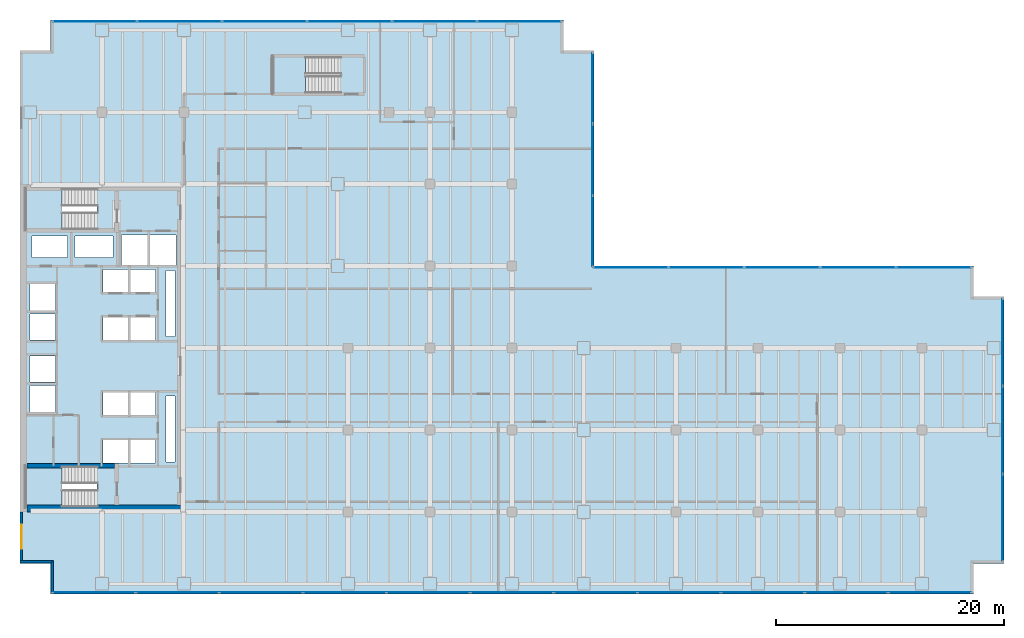
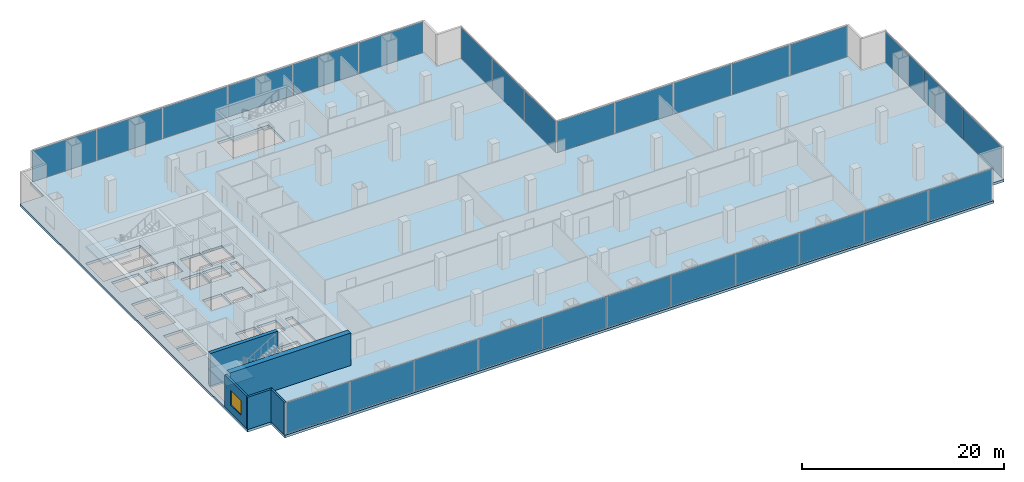
# One storey, part 21 of 29: 28 plates, 5 walls, 4 slabs, 1 window, 22 openings, 8 elements without a shape of their own.
"""IFC4 building model written with IfcOpenShell, lengths in metres."""

from ifc_helpers import new_model, si_unit, direction, frame, frame_2d, origin, origin_2d, place, context, subcontext, project, spatial, polyline, rectangle, outline, extrude, material, layer, layer_set, type_object, element, fill, aggregate, save


model = new_model("IFC4")

# Units and contexts
model_context = context("Model", 3, precision=1e-05, world=origin(), true_north=direction((0.0, 1.0)))
body_context = subcontext(model_context, "Body", "Model", "MODEL_VIEW")
ifc_project = project(units=[si_unit("LENGTHUNIT", "METRE"), si_unit("AREAUNIT", "SQUARE_METRE"), si_unit("VOLUMEUNIT", "CUBIC_METRE"), si_unit("PLANEANGLEUNIT", "RADIAN"), si_unit("MASSUNIT", "GRAM", prefix="KILO")], contexts=[model_context])

# Site, building, storey
site_placement = place(None, origin())
site = spatial("IfcSite", under=ifc_project, at=site_placement, CompositionType="ELEMENT")
building_placement = place(site_placement, origin())
building = spatial("IfcBuilding", under=site, at=building_placement, Name="Cobrela Telecom Tower", CompositionType="ELEMENT")
storey_placement = place(building_placement, frame((0.0, 0.0, 13.64990234375)))
storey = spatial("IfcBuildingStorey", under=building, at=storey_placement, Name="L03", CompositionType="ELEMENT", Elevation=13.64990234375)

# Curtain wall, plates
ifc_material_1 = material(Name="Anodized Bronze Aluminium 6063-T6", Category="aluminium")
curtain_wall_type = type_object("IfcCurtainWallType", Name="CW-SYS-CONC", PredefinedType="USERDEFINED", material=ifc_material_1)
curtain_wall_1_placement = place(storey_placement, origin())
curtain_wall_1 = element("IfcCurtainWall", 1, at=curtain_wall_1_placement, inside=storey, type_object=curtain_wall_type, Name="L03 Unitised Bronze Curtain Wall 07", ObjectType="UNITISED CURTAIN WALL", PredefinedType="USERDEFINED")
ifc_material_2 = material(Name="Solar-Control Bronze Low-E Glass", Category="glass")
ifc_layer_1 = layer(ifc_material_2, 0.0419921875)
ifc_layer_set_1 = layer_set([ifc_layer_1], Name="Solar-Control Bronze Low-E Glass")
plate_type = type_object("IfcPlateType", Name="CW-SYS-CONC-PNL", PredefinedType="CURTAIN_PANEL", material=ifc_layer_set_1)
plate_1_placement = place(storey_placement, frame((6.570068359375, 50.280029296875, 0.080078125), z_axis=(0.0, 0.0, 1.0), x_axis=(1.0, 0.0, 0.0)))
plate_1 = element("IfcPlate", 2, at=plate_1_placement, type_object=plate_type, Name="CW-CONC panel 1.1", PredefinedType="CURTAIN_PANEL", context=body_context, shape_type="SweptSolid", body=[
    extrude(rectangle(XDim=7.340087890625, YDim=0.0419921875, at=origin_2d()), origin(), (0.0, 0.0, 1.0), 3.75),
])
plate_2_placement = place(storey_placement, frame((14.010009765625, 50.280029296875, 0.080078125), z_axis=(0.0, 0.0, 1.0), x_axis=(1.0, 0.0, 0.0)))
plate_2 = element("IfcPlate", 3, at=plate_2_placement, type_object=plate_type, Name="CW-CONC panel 2.1", PredefinedType="CURTAIN_PANEL", context=body_context, shape_type="SweptSolid", body=[
    extrude(rectangle(XDim=7.3798828125, YDim=0.0419921875, at=origin_2d()), origin(), (0.0, 0.0, 1.0), 3.75),
])
plate_3_placement = place(storey_placement, frame((21.469970703125, 50.280029296875, 0.080078125), z_axis=(0.0, 0.0, 1.0), x_axis=(1.0, 0.0, 0.0)))
plate_3 = element("IfcPlate", 4, at=plate_3_placement, type_object=plate_type, Name="CW-CONC panel 3.1", PredefinedType="CURTAIN_PANEL", context=body_context, shape_type="SweptSolid", body=[
    extrude(rectangle(XDim=7.3798828125, YDim=0.0419921875, at=origin_2d()), origin(), (0.0, 0.0, 1.0), 3.75),
])
plate_4_placement = place(storey_placement, frame((28.929931640625, 50.280029296875, 0.080078125), z_axis=(0.0, 0.0, 1.0), x_axis=(1.0, 0.0, 0.0)))
plate_4 = element("IfcPlate", 5, at=plate_4_placement, type_object=plate_type, Name="CW-CONC panel 4.1", PredefinedType="CURTAIN_PANEL", context=body_context, shape_type="SweptSolid", body=[
    extrude(rectangle(XDim=7.3798828125, YDim=0.0419921875, at=origin_2d()), origin(), (0.0, 0.0, 1.0), 3.75),
])
plate_5_placement = place(storey_placement, frame((36.389892578125, 50.280029296875, 0.080078125), z_axis=(0.0, 0.0, 1.0), x_axis=(1.0, 0.0, 0.0)))
plate_5 = element("IfcPlate", 6, at=plate_5_placement, type_object=plate_type, Name="CW-CONC panel 5.1", PredefinedType="CURTAIN_PANEL", context=body_context, shape_type="SweptSolid", body=[
    extrude(rectangle(XDim=7.3798828125, YDim=0.0419921875, at=origin_2d()), origin(), (0.0, 0.0, 1.0), 3.75),
])
plate_6_placement = place(storey_placement, frame((43.830078125, 50.280029296875, 0.080078125), z_axis=(0.0, 0.0, 1.0), x_axis=(1.0, 0.0, 0.0)))
plate_6 = element("IfcPlate", 7, at=plate_6_placement, type_object=plate_type, Name="CW-CONC panel 6.1", PredefinedType="CURTAIN_PANEL", context=body_context, shape_type="SweptSolid", body=[
    extrude(rectangle(XDim=7.340087890625, YDim=0.0419921875, at=origin_2d()), origin(), (0.0, 0.0, 1.0), 3.75),
])
aggregate(curtain_wall_1, [plate_1, plate_2, plate_3, plate_4, plate_5, plate_6])

curtain_wall_2_placement = place(storey_placement, origin())
curtain_wall_2 = element("IfcCurtainWall", 8, at=curtain_wall_2_placement, inside=storey, type_object=curtain_wall_type, Name="L03 Unitised Bronze Curtain Wall 10", ObjectType="UNITISED CURTAIN WALL", PredefinedType="USERDEFINED")
plate_7_placement = place(storey_placement, frame((50.280029296875, 44.409912109375, 0.080078125), z_axis=(0.0, 0.0, 1.0), x_axis=(0.0, -1.0, 0.0)))
plate_7 = element("IfcPlate", 9, at=plate_7_placement, type_object=plate_type, Name="CW-CONC panel 1.1", PredefinedType="CURTAIN_PANEL", context=body_context, shape_type="SweptSolid", body=[
    extrude(rectangle(XDim=6.179931640625, YDim=0.0419921875, at=origin_2d()), origin(), (0.0, 0.0, 1.0), 3.75),
])
plate_8_placement = place(storey_placement, frame((50.280029296875, 38.1298828125, 0.080078125), z_axis=(0.0, 0.0, 1.0), x_axis=(0.0, -1.0, 0.0)))
plate_8 = element("IfcPlate", 10, at=plate_8_placement, type_object=plate_type, Name="CW-CONC panel 2.1", PredefinedType="CURTAIN_PANEL", context=body_context, shape_type="SweptSolid", body=[
    extrude(rectangle(XDim=6.219970703125, YDim=0.0419921875, at=origin_2d()), origin(), (0.0, 0.0, 1.0), 3.75),
])
plate_9_placement = place(storey_placement, frame((50.280029296875, 31.85009765625, 0.080078125), z_axis=(0.0, 0.0, 1.0), x_axis=(0.0, -1.0, 0.0)))
plate_9 = element("IfcPlate", 11, at=plate_9_placement, type_object=plate_type, Name="CW-CONC panel 3.1", PredefinedType="CURTAIN_PANEL", context=body_context, shape_type="SweptSolid", body=[
    extrude(rectangle(XDim=6.179931640625, YDim=0.0419921875, at=origin_2d()), origin(), (0.0, 0.0, 1.0), 3.75),
])
aggregate(curtain_wall_2, [plate_7, plate_8, plate_9])

curtain_wall_3_placement = place(storey_placement, origin())
curtain_wall_3 = element("IfcCurtainWall", 12, at=curtain_wall_3_placement, inside=storey, type_object=curtain_wall_type, Name="L03 Unitised Bronze Curtain Wall 11", ObjectType="UNITISED CURTAIN WALL", PredefinedType="USERDEFINED")
plate_10_placement = place(storey_placement, frame((53.6298828125, 28.679931640625, 0.080078125), z_axis=(0.0, 0.0, 1.0), x_axis=(1.0, 0.0, 0.0)))
plate_10 = element("IfcPlate", 13, at=plate_10_placement, type_object=plate_type, Name="CW-CONC panel 1.1", PredefinedType="CURTAIN_PANEL", context=body_context, shape_type="SweptSolid", body=[
    extrude(rectangle(XDim=6.5400390625, YDim=0.0419921875, at=origin_2d()), origin(), (0.0, 0.0, 1.0), 3.75),
])
plate_11_placement = place(storey_placement, frame((60.27001953125, 28.679931640625, 0.080078125), z_axis=(0.0, 0.0, 1.0), x_axis=(1.0, 0.0, 0.0)))
plate_11 = element("IfcPlate", 14, at=plate_11_placement, type_object=plate_type, Name="CW-CONC panel 2.1", PredefinedType="CURTAIN_PANEL", context=body_context, shape_type="SweptSolid", body=[
    extrude(rectangle(XDim=6.580078125, YDim=0.0419921875, at=origin_2d()), origin(), (0.0, 0.0, 1.0), 3.75),
])
plate_12_placement = place(storey_placement, frame((66.929931640625, 28.679931640625, 0.080078125), z_axis=(0.0, 0.0, 1.0), x_axis=(1.0, 0.0, 0.0)))
plate_12 = element("IfcPlate", 15, at=plate_12_placement, type_object=plate_type, Name="CW-CONC panel 3.1", PredefinedType="CURTAIN_PANEL", context=body_context, shape_type="SweptSolid", body=[
    extrude(rectangle(XDim=6.580078125, YDim=0.0419921875, at=origin_2d()), origin(), (0.0, 0.0, 1.0), 3.75),
])
plate_13_placement = place(storey_placement, frame((73.590087890625, 28.679931640625, 0.080078125), z_axis=(0.0, 0.0, 1.0), x_axis=(1.0, 0.0, 0.0)))
plate_13 = element("IfcPlate", 16, at=plate_13_placement, type_object=plate_type, Name="CW-CONC panel 4.1", PredefinedType="CURTAIN_PANEL", context=body_context, shape_type="SweptSolid", body=[
    extrude(rectangle(XDim=6.580078125, YDim=0.0419921875, at=origin_2d()), origin(), (0.0, 0.0, 1.0), 3.75),
])
plate_14_placement = place(storey_placement, frame((80.22998046875, 28.679931640625, 0.080078125), z_axis=(0.0, 0.0, 1.0), x_axis=(1.0, 0.0, 0.0)))
plate_14 = element("IfcPlate", 17, at=plate_14_placement, type_object=plate_type, Name="CW-CONC panel 5.1", PredefinedType="CURTAIN_PANEL", context=body_context, shape_type="SweptSolid", body=[
    extrude(rectangle(XDim=6.5400390625, YDim=0.0419921875, at=origin_2d()), origin(), (0.0, 0.0, 1.0), 3.75),
])
aggregate(curtain_wall_3, [plate_10, plate_11, plate_12, plate_13, plate_14])

curtain_wall_4_placement = place(storey_placement, origin())
curtain_wall_4 = element("IfcCurtainWall", 18, at=curtain_wall_4_placement, inside=storey, type_object=curtain_wall_type, Name="L03 Unitised Bronze Curtain Wall 14", ObjectType="UNITISED CURTAIN WALL", PredefinedType="USERDEFINED")
plate_15_placement = place(storey_placement, frame((86.280029296875, 22.10009765625, 0.080078125), z_axis=(0.0, 0.0, 1.0), x_axis=(0.0, -1.0, 0.0)))
plate_15 = element("IfcPlate", 19, at=plate_15_placement, type_object=plate_type, Name="CW-CONC panel 1.1", PredefinedType="CURTAIN_PANEL", context=body_context, shape_type="SweptSolid", body=[
    extrude(rectangle(XDim=7.60009765625, YDim=0.0419921875, at=origin_2d()), origin(), (0.0, 0.0, 1.0), 3.75),
])
plate_16_placement = place(storey_placement, frame((86.280029296875, 14.39990234375, 0.080078125), z_axis=(0.0, 0.0, 1.0), x_axis=(0.0, -1.0, 0.0)))
plate_16 = element("IfcPlate", 20, at=plate_16_placement, type_object=plate_type, Name="CW-CONC panel 2.1", PredefinedType="CURTAIN_PANEL", context=body_context, shape_type="SweptSolid", body=[
    extrude(rectangle(XDim=7.639892578125, YDim=0.0419921875, at=origin_2d()), origin(), (0.0, 0.0, 1.0), 3.75),
])
plate_17_placement = place(storey_placement, frame((86.280029296875, 6.699951171875, 0.080078125), z_axis=(0.0, 0.0, 1.0), x_axis=(0.0, -1.0, 0.0)))
plate_17 = element("IfcPlate", 21, at=plate_17_placement, type_object=plate_type, Name="CW-CONC panel 3.1", PredefinedType="CURTAIN_PANEL", context=body_context, shape_type="SweptSolid", body=[
    extrude(rectangle(XDim=7.60009765625, YDim=0.0419921875, at=origin_2d()), origin(), (0.0, 0.0, 1.0), 3.75),
])
aggregate(curtain_wall_4, [plate_15, plate_16, plate_17])

curtain_wall_5_placement = place(storey_placement, origin())
curtain_wall_5 = element("IfcCurtainWall", 22, at=curtain_wall_5_placement, inside=storey, type_object=curtain_wall_type, Name="L03 Unitised Bronze Curtain Wall 17", ObjectType="UNITISED CURTAIN WALL", PredefinedType="USERDEFINED")
plate_18_placement = place(storey_placement, frame((79.88916015625, 0.1201171875, 0.080078125), z_axis=(0.0, 0.0, 1.0), x_axis=(-1.0, 0.0, 0.0)))
plate_18 = element("IfcPlate", 23, at=plate_18_placement, type_object=plate_type, Name="CW-CONC panel 1.1", PredefinedType="CURTAIN_PANEL", context=body_context, shape_type="SweptSolid", body=[
    extrude(rectangle(XDim=7.221923828125, YDim=0.0419921875, at=origin_2d()), origin(), (0.0, 0.0, 1.0), 3.75),
])
plate_19_placement = place(storey_placement, frame((72.5673828125, 0.1201171875, 0.080078125), z_axis=(0.0, 0.0, 1.0), x_axis=(-1.0, 0.0, 0.0)))
plate_19 = element("IfcPlate", 24, at=plate_19_placement, type_object=plate_type, Name="CW-CONC panel 2.1", PredefinedType="CURTAIN_PANEL", context=body_context, shape_type="SweptSolid", body=[
    extrude(rectangle(XDim=7.26171875, YDim=0.0419921875, at=origin_2d()), origin(), (0.0, 0.0, 1.0), 3.75),
])
plate_20_placement = place(storey_placement, frame((65.225341796875, 0.1201171875, 0.080078125), z_axis=(0.0, 0.0, 1.0), x_axis=(-1.0, 0.0, 0.0)))
plate_20 = element("IfcPlate", 25, at=plate_20_placement, type_object=plate_type, Name="CW-CONC panel 3.1", PredefinedType="CURTAIN_PANEL", context=body_context, shape_type="SweptSolid", body=[
    extrude(rectangle(XDim=7.26171875, YDim=0.0419921875, at=origin_2d()), origin(), (0.0, 0.0, 1.0), 3.75),
])
plate_21_placement = place(storey_placement, frame((57.883544921875, 0.1201171875, 0.080078125), z_axis=(0.0, 0.0, 1.0), x_axis=(-1.0, 0.0, 0.0)))
plate_21 = element("IfcPlate", 26, at=plate_21_placement, type_object=plate_type, Name="CW-CONC panel 4.1", PredefinedType="CURTAIN_PANEL", context=body_context, shape_type="SweptSolid", body=[
    extrude(rectangle(XDim=7.26171875, YDim=0.0419921875, at=origin_2d()), origin(), (0.0, 0.0, 1.0), 3.75),
])
plate_22_placement = place(storey_placement, frame((50.541748046875, 0.1201171875, 0.080078125), z_axis=(0.0, 0.0, 1.0), x_axis=(-1.0, 0.0, 0.0)))
plate_22 = element("IfcPlate", 27, at=plate_22_placement, type_object=plate_type, Name="CW-CONC panel 5.1", PredefinedType="CURTAIN_PANEL", context=body_context, shape_type="SweptSolid", body=[
    extrude(rectangle(XDim=7.26171875, YDim=0.0419921875, at=origin_2d()), origin(), (0.0, 0.0, 1.0), 3.75),
])
plate_23_placement = place(storey_placement, frame((43.199951171875, 0.1201171875, 0.080078125), z_axis=(0.0, 0.0, 1.0), x_axis=(-1.0, 0.0, 0.0)))
plate_23 = element("IfcPlate", 28, at=plate_23_placement, type_object=plate_type, Name="CW-CONC panel 6.1", PredefinedType="CURTAIN_PANEL", context=body_context, shape_type="SweptSolid", body=[
    extrude(rectangle(XDim=7.26171875, YDim=0.0419921875, at=origin_2d()), origin(), (0.0, 0.0, 1.0), 3.75),
])
plate_24_placement = place(storey_placement, frame((35.858154296875, 0.1201171875, 0.080078125), z_axis=(0.0, 0.0, 1.0), x_axis=(-1.0, 0.0, 0.0)))
plate_24 = element("IfcPlate", 29, at=plate_24_placement, type_object=plate_type, Name="CW-CONC panel 7.1", PredefinedType="CURTAIN_PANEL", context=body_context, shape_type="SweptSolid", body=[
    extrude(rectangle(XDim=7.26171875, YDim=0.0419921875, at=origin_2d()), origin(), (0.0, 0.0, 1.0), 3.75),
])
plate_25_placement = place(storey_placement, frame((28.516357421875, 0.1201171875, 0.080078125), z_axis=(0.0, 0.0, 1.0), x_axis=(-1.0, 0.0, 0.0)))
plate_25 = element("IfcPlate", 30, at=plate_25_placement, type_object=plate_type, Name="CW-CONC panel 8.1", PredefinedType="CURTAIN_PANEL", context=body_context, shape_type="SweptSolid", body=[
    extrude(rectangle(XDim=7.26171875, YDim=0.0419921875, at=origin_2d()), origin(), (0.0, 0.0, 1.0), 3.75),
])
plate_26_placement = place(storey_placement, frame((21.174560546875, 0.1201171875, 0.080078125), z_axis=(0.0, 0.0, 1.0), x_axis=(-1.0, 0.0, 0.0)))
plate_26 = element("IfcPlate", 31, at=plate_26_placement, type_object=plate_type, Name="CW-CONC panel 9.1", PredefinedType="CURTAIN_PANEL", context=body_context, shape_type="SweptSolid", body=[
    extrude(rectangle(XDim=7.26171875, YDim=0.0419921875, at=origin_2d()), origin(), (0.0, 0.0, 1.0), 3.75),
])
plate_27_placement = place(storey_placement, frame((13.832763671875, 0.1201171875, 0.080078125), z_axis=(0.0, 0.0, 1.0), x_axis=(-1.0, 0.0, 0.0)))
plate_27 = element("IfcPlate", 32, at=plate_27_placement, type_object=plate_type, Name="CW-CONC panel 10.1", PredefinedType="CURTAIN_PANEL", context=body_context, shape_type="SweptSolid", body=[
    extrude(rectangle(XDim=7.26171875, YDim=0.0419921875, at=origin_2d()), origin(), (0.0, 0.0, 1.0), 3.75),
])
plate_28_placement = place(storey_placement, frame((6.510986328125, 0.1201171875, 0.080078125), z_axis=(0.0, 0.0, 1.0), x_axis=(-1.0, 0.0, 0.0)))
plate_28 = element("IfcPlate", 33, at=plate_28_placement, type_object=plate_type, Name="CW-CONC panel 11.1", PredefinedType="CURTAIN_PANEL", context=body_context, shape_type="SweptSolid", body=[
    extrude(rectangle(XDim=7.221923828125, YDim=0.0419921875, at=origin_2d()), origin(), (0.0, 0.0, 1.0), 3.75),
])
aggregate(curtain_wall_5, [plate_18, plate_19, plate_20, plate_21, plate_22, plate_23, plate_24, plate_25, plate_26, plate_27, plate_28])

# Slab, openings
ifc_material_3 = material(Name="Concrete C40/50", Category="concrete")
ifc_layer_2 = layer(ifc_material_3, 0.300048828125)
ifc_layer_set_2 = layer_set([ifc_layer_2], Name="Concrete C40/50")
slab_type_1 = type_object("IfcSlabType", Name="SLAB-FLR-300", PredefinedType="FLOOR", material=ifc_layer_set_2)
slab_1_placement = place(storey_placement, frame((0.0, 0.0, -0.2998046875)))
slab_1 = element("IfcSlab", 34, at=slab_1_placement, inside=storey, type_object=slab_type_1, Name="L03 Structural Floor Slab", PredefinedType="FLOOR", context=body_context, shape_type="SweptSolid", body=[
    extrude(outline(polyline([(2.699951171875, 0.0), (83.699951171875, 0.0), (83.699951171875, 2.699951171875), (86.39990234375, 2.699951171875), (86.39990234375, 26.10009765625), (83.699951171875, 26.10009765625), (83.699951171875, 28.800048828125), (50.39990234375, 28.800048828125), (50.39990234375, 47.699951171875), (47.699951171875, 47.699951171875), (47.699951171875, 50.39990234375), (2.699951171875, 50.39990234375), (2.699951171875, 47.699951171875), (0.0, 47.699951171875), (0.0, 2.699951171875), (2.699951171875, 2.699951171875), (2.699951171875, 0.0)])), origin(), (0.0, 0.0, 1.0), 0.2998046875),
])
opening_1_placement = place(slab_1_placement, frame((0.0, 0.0, -0.02001953125)))
element("IfcOpeningElement", 35, at=opening_1_placement, cuts=slab_1, Name="Slab Shaft Opening SLAB-L03-MAIN.1", PredefinedType="OPENING", context=body_context, shape_type="SweptSolid", body=[
    extrude(outline(polyline([(8.89990234375, 28.89990234375), (11.199951171875, 28.89990234375), (11.199951171875, 31.5), (8.89990234375, 31.5), (8.89990234375, 28.89990234375)])), origin(), (0.0, 0.0, 1.0), 0.33984375),
])
opening_2_placement = place(slab_1_placement, frame((0.0, 0.0, -0.02001953125)))
element("IfcOpeningElement", 36, at=opening_2_placement, cuts=slab_1, Name="Slab Shaft Opening SLAB-L03-MAIN.2", PredefinedType="OPENING", context=body_context, shape_type="SweptSolid", body=[
    extrude(outline(polyline([(11.39990234375, 28.89990234375), (13.699951171875, 28.89990234375), (13.699951171875, 31.5), (11.39990234375, 31.5), (11.39990234375, 28.89990234375)])), origin(), (0.0, 0.0, 1.0), 0.33984375),
])
opening_3_placement = place(slab_1_placement, frame((0.0, 0.0, -0.02001953125)))
element("IfcOpeningElement", 37, at=opening_3_placement, cuts=slab_1, Name="Slab Shaft Opening SLAB-L03-MAIN.3", PredefinedType="OPENING", context=body_context, shape_type="SweptSolid", body=[
    extrude(outline(polyline([(7.300048828125, 22.300048828125), (9.5, 22.300048828125), (9.5, 24.300048828125), (7.300048828125, 24.300048828125), (7.300048828125, 22.300048828125)])), origin(), (0.0, 0.0, 1.0), 0.33984375),
])
opening_4_placement = place(slab_1_placement, frame((0.0, 0.0, -0.02001953125)))
element("IfcOpeningElement", 38, at=opening_4_placement, cuts=slab_1, Name="Slab Shaft Opening SLAB-L03-MAIN.4", PredefinedType="OPENING", context=body_context, shape_type="SweptSolid", body=[
    extrude(outline(polyline([(9.699951171875, 22.300048828125), (11.89990234375, 22.300048828125), (11.89990234375, 24.300048828125), (9.699951171875, 24.300048828125), (9.699951171875, 22.300048828125)])), origin(), (0.0, 0.0, 1.0), 0.33984375),
])
opening_5_placement = place(slab_1_placement, frame((0.0, 0.0, -0.02001953125)))
element("IfcOpeningElement", 39, at=opening_5_placement, cuts=slab_1, Name="Slab Shaft Opening SLAB-L03-MAIN.5", PredefinedType="OPENING", context=body_context, shape_type="SweptSolid", body=[
    extrude(outline(polyline([(7.300048828125, 26.5), (9.5, 26.5), (9.5, 28.5), (7.300048828125, 28.5), (7.300048828125, 26.5)])), origin(), (0.0, 0.0, 1.0), 0.33984375),
])
opening_6_placement = place(slab_1_placement, frame((0.0, 0.0, -0.02001953125)))
element("IfcOpeningElement", 40, at=opening_6_placement, cuts=slab_1, Name="Slab Shaft Opening SLAB-L03-MAIN.6", PredefinedType="OPENING", context=body_context, shape_type="SweptSolid", body=[
    extrude(outline(polyline([(9.699951171875, 26.5), (11.89990234375, 26.5), (11.89990234375, 28.5), (9.699951171875, 28.5), (9.699951171875, 26.5)])), origin(), (0.0, 0.0, 1.0), 0.33984375),
])
opening_7_placement = place(slab_1_placement, frame((0.0, 0.0, -0.02001953125)))
element("IfcOpeningElement", 41, at=opening_7_placement, cuts=slab_1, Name="Slab Shaft Opening SLAB-L03-MAIN.7", PredefinedType="OPENING", context=body_context, shape_type="SweptSolid", body=[
    extrude(outline(polyline([(7.300048828125, 15.699951171875), (9.5, 15.699951171875), (9.5, 17.699951171875), (7.300048828125, 17.699951171875), (7.300048828125, 15.699951171875)])), origin(), (0.0, 0.0, 1.0), 0.33984375),
])
opening_8_placement = place(slab_1_placement, frame((0.0, 0.0, -0.02001953125)))
element("IfcOpeningElement", 42, at=opening_8_placement, cuts=slab_1, Name="Slab Shaft Opening SLAB-L03-MAIN.8", PredefinedType="OPENING", context=body_context, shape_type="SweptSolid", body=[
    extrude(outline(polyline([(9.699951171875, 15.699951171875), (11.89990234375, 15.699951171875), (11.89990234375, 17.699951171875), (9.699951171875, 17.699951171875), (9.699951171875, 15.699951171875)])), origin(), (0.0, 0.0, 1.0), 0.33984375),
])
opening_9_placement = place(slab_1_placement, frame((0.0, 0.0, -0.02001953125)))
element("IfcOpeningElement", 43, at=opening_9_placement, cuts=slab_1, Name="Slab Shaft Opening SLAB-L03-MAIN.9", PredefinedType="OPENING", context=body_context, shape_type="SweptSolid", body=[
    extrude(outline(polyline([(7.300048828125, 11.5), (9.5, 11.5), (9.5, 13.5), (7.300048828125, 13.5), (7.300048828125, 11.5)])), origin(), (0.0, 0.0, 1.0), 0.33984375),
])
opening_10_placement = place(slab_1_placement, frame((0.0, 0.0, -0.02001953125)))
element("IfcOpeningElement", 44, at=opening_10_placement, cuts=slab_1, Name="Slab Shaft Opening SLAB-L03-MAIN.10", PredefinedType="OPENING", context=body_context, shape_type="SweptSolid", body=[
    extrude(outline(polyline([(9.699951171875, 11.5), (11.89990234375, 11.5), (11.89990234375, 13.5), (9.699951171875, 13.5), (9.699951171875, 11.5)])), origin(), (0.0, 0.0, 1.0), 0.33984375),
])
opening_11_placement = place(slab_1_placement, frame((0.0, 0.0, -0.02001953125)))
element("IfcOpeningElement", 45, at=opening_11_placement, cuts=slab_1, Name="Slab Shaft Opening SLAB-L03-MAIN.11", PredefinedType="OPENING", context=body_context, shape_type="SweptSolid", body=[
    extrude(outline(polyline([(0.89990234375, 16.0), (3.10009765625, 16.0), (3.10009765625, 18.300048828125), (0.89990234375, 18.300048828125), (0.89990234375, 16.0)])), origin(), (0.0, 0.0, 1.0), 0.33984375),
])
opening_12_placement = place(slab_1_placement, frame((0.0, 0.0, -0.02001953125)))
element("IfcOpeningElement", 46, at=opening_12_placement, cuts=slab_1, Name="Slab Shaft Opening SLAB-L03-MAIN.12", PredefinedType="OPENING", context=body_context, shape_type="SweptSolid", body=[
    extrude(outline(polyline([(0.89990234375, 18.60009765625), (3.10009765625, 18.60009765625), (3.10009765625, 20.89990234375), (0.89990234375, 20.89990234375), (0.89990234375, 18.60009765625)])), origin(), (0.0, 0.0, 1.0), 0.33984375),
])
opening_13_placement = place(slab_1_placement, frame((0.0, 0.0, -0.02001953125)))
element("IfcOpeningElement", 47, at=opening_13_placement, cuts=slab_1, Name="Slab Shaft Opening SLAB-L03-MAIN.13", PredefinedType="OPENING", context=body_context, shape_type="SweptSolid", body=[
    extrude(outline(polyline([(0.89990234375, 22.300048828125), (3.10009765625, 22.300048828125), (3.10009765625, 24.60009765625), (0.89990234375, 24.60009765625), (0.89990234375, 22.300048828125)])), origin(), (0.0, 0.0, 1.0), 0.33984375),
])
opening_14_placement = place(slab_1_placement, frame((0.0, 0.0, -0.02001953125)))
element("IfcOpeningElement", 48, at=opening_14_placement, cuts=slab_1, Name="Slab Shaft Opening SLAB-L03-MAIN.14", PredefinedType="OPENING", context=body_context, shape_type="SweptSolid", body=[
    extrude(outline(polyline([(0.89990234375, 24.89990234375), (3.10009765625, 24.89990234375), (3.10009765625, 27.199951171875), (0.89990234375, 27.199951171875), (0.89990234375, 24.89990234375)])), origin(), (0.0, 0.0, 1.0), 0.33984375),
])
opening_15_placement = place(slab_1_placement, frame((0.0, 0.0, -0.02001953125)))
element("IfcOpeningElement", 49, at=opening_15_placement, cuts=slab_1, Name="Slab Shaft Opening SLAB-L03-MAIN.15", PredefinedType="OPENING", context=body_context, shape_type="SweptSolid", body=[
    extrude(outline(polyline([(1.050048828125, 29.550048828125), (4.14990234375, 29.550048828125), (4.14990234375, 31.449951171875), (1.050048828125, 31.449951171875), (1.050048828125, 29.550048828125)])), origin(), (0.0, 0.0, 1.0), 0.33984375),
])
opening_16_placement = place(slab_1_placement, frame((0.0, 0.0, -0.02001953125)))
element("IfcOpeningElement", 50, at=opening_16_placement, cuts=slab_1, Name="Slab Shaft Opening SLAB-L03-MAIN.16", PredefinedType="OPENING", context=body_context, shape_type="SweptSolid", body=[
    extrude(outline(polyline([(4.85009765625, 29.550048828125), (8.14990234375, 29.550048828125), (8.14990234375, 31.449951171875), (4.85009765625, 31.449951171875), (4.85009765625, 29.550048828125)])), origin(), (0.0, 0.0, 1.0), 0.33984375),
])
opening_17_placement = place(slab_1_placement, frame((0.0, 0.0, -0.02001953125)))
element("IfcOpeningElement", 51, at=opening_17_placement, cuts=slab_1, Name="Slab Shaft Opening SLAB-L03-MAIN.17", PredefinedType="OPENING", context=body_context, shape_type="SweptSolid", body=[
    extrude(outline(polyline([(12.800048828125, 22.60009765625), (13.60009765625, 22.60009765625), (13.60009765625, 28.39990234375), (12.800048828125, 28.39990234375), (12.800048828125, 22.60009765625)])), origin(), (0.0, 0.0, 1.0), 0.33984375),
])
opening_18_placement = place(slab_1_placement, frame((0.0, 0.0, -0.02001953125)))
element("IfcOpeningElement", 52, at=opening_18_placement, cuts=slab_1, Name="Slab Shaft Opening SLAB-L03-MAIN.18", PredefinedType="OPENING", context=body_context, shape_type="SweptSolid", body=[
    extrude(outline(polyline([(12.800048828125, 11.60009765625), (13.60009765625, 11.60009765625), (13.60009765625, 17.39990234375), (12.800048828125, 17.39990234375), (12.800048828125, 11.60009765625)])), origin(), (0.0, 0.0, 1.0), 0.33984375),
])
opening_19_placement = place(slab_1_placement, frame((0.0, 0.0, -0.02001953125)))
element("IfcOpeningElement", 53, at=opening_19_placement, cuts=slab_1, Name="Slab Shaft Opening SLAB-L03-MAIN.19", PredefinedType="OPENING", context=body_context, shape_type="SweptSolid", body=[
    extrude(outline(polyline([(6.7548828125, 35.550048828125), (0.47998046875, 35.550048828125), (0.47998046875, 32.0), (6.7548828125, 32.0), (6.7548828125, 35.550048828125)])), origin(), (0.0, 0.0, 1.0), 0.33984375),
])
opening_20_placement = place(slab_1_placement, frame((0.0, 0.0, -0.02001953125)))
element("IfcOpeningElement", 54, at=opening_20_placement, cuts=slab_1, Name="Slab Shaft Opening SLAB-L03-MAIN.20", PredefinedType="OPENING", context=body_context, shape_type="SweptSolid", body=[
    extrude(outline(polyline([(6.7548828125, 11.199951171875), (0.47998046875, 11.199951171875), (0.47998046875, 7.64990234375), (6.7548828125, 7.64990234375), (6.7548828125, 11.199951171875)])), origin(), (0.0, 0.0, 1.0), 0.33984375),
])
opening_21_placement = place(slab_1_placement, frame((0.0, 0.0, -0.02001953125)))
element("IfcOpeningElement", 55, at=opening_21_placement, cuts=slab_1, Name="Slab Shaft Opening SLAB-L03-MAIN.21", PredefinedType="OPENING", context=body_context, shape_type="SweptSolid", body=[
    extrude(outline(polyline([(28.135009765625, 47.14990234375), (22.199951171875, 47.14990234375), (22.199951171875, 44.0), (28.135009765625, 44.0), (28.135009765625, 47.14990234375)])), origin(), (0.0, 0.0, 1.0), 0.33984375),
])

# Stair, slab
stair_type = type_object("IfcStairType", Name="STAIR-CORE", PredefinedType="HALF_TURN_STAIR", material=ifc_material_3)
stair_1_placement = place(storey_placement, origin())
stair_1 = element("IfcStair", 56, at=stair_1_placement, inside=storey, type_object=stair_type, Name="L03 Smokeproof Exit Stair ST1", PredefinedType="HALF_TURN_STAIR")
ifc_layer_3 = layer(ifc_material_3, 0.199951171875)
ifc_layer_set_3 = layer_set([ifc_layer_3], Name="Concrete C40/50")
slab_type_2 = type_object("IfcSlabType", Name="SLAB-LAND-200", PredefinedType="LANDING", material=ifc_layer_set_3)
slab_2_placement = place(storey_placement, frame((0.0, 0.0, 1.900146484375)))
slab_2 = element("IfcSlab", 57, at=slab_2_placement, type_object=slab_type_2, Name="ST1 landing 1", PredefinedType="LANDING", context=body_context, shape_type="SweptSolid", body=[
    extrude(outline(polyline([(3.68505859375, 35.550048828125), (0.47998046875, 35.550048828125), (0.47998046875, 32.0), (3.68505859375, 32.0), (3.68505859375, 35.550048828125)])), origin(), (0.0, 0.0, 1.0), 0.199951171875),
])
aggregate(stair_1, [slab_2])

stair_2_placement = place(storey_placement, origin())
stair_2 = element("IfcStair", 58, at=stair_2_placement, inside=storey, type_object=stair_type, Name="L03 Smokeproof Exit Stair ST2", PredefinedType="HALF_TURN_STAIR")
slab_3_placement = place(storey_placement, frame((0.0, 0.0, 1.900146484375)))
slab_3 = element("IfcSlab", 59, at=slab_3_placement, type_object=slab_type_2, Name="ST2 landing 1", PredefinedType="LANDING", context=body_context, shape_type="SweptSolid", body=[
    extrude(outline(polyline([(3.68505859375, 11.199951171875), (0.47998046875, 11.199951171875), (0.47998046875, 7.64990234375), (3.68505859375, 7.64990234375), (3.68505859375, 11.199951171875)])), origin(), (0.0, 0.0, 1.0), 0.199951171875),
])
aggregate(stair_2, [slab_3])

stair_3_placement = place(storey_placement, origin())
stair_3 = element("IfcStair", 60, at=stair_3_placement, inside=storey, type_object=stair_type, Name="L03 Smokeproof Exit Stair ST3", PredefinedType="HALF_TURN_STAIR")
slab_4_placement = place(storey_placement, frame((0.0, 0.0, 1.900146484375)))
slab_4 = element("IfcSlab", 61, at=slab_4_placement, type_object=slab_type_2, Name="ST3 landing 1", PredefinedType="LANDING", context=body_context, shape_type="SweptSolid", body=[
    extrude(outline(polyline([(25.06494140625, 47.14990234375), (22.199951171875, 47.14990234375), (22.199951171875, 44.0), (25.06494140625, 44.0), (25.06494140625, 47.14990234375)])), origin(), (0.0, 0.0, 1.0), 0.199951171875),
])
aggregate(stair_3, [slab_4])

# Walls
ifc_material_4 = material(Name="Concrete C50/60", Category="concrete")
ifc_layer_4 = layer(ifc_material_4, 0.60009765625)
ifc_layer_set_4 = layer_set([ifc_layer_4], Name="Concrete C50/60")
wall_type_1 = type_object("IfcWallType", Name="WALL-CORE-C50-600", PredefinedType="SHEAR", material=ifc_layer_set_4)
wall_1_placement = place(storey_placement, frame((0.60009765625, 7.5, 0.0), z_axis=(0.0, 0.0, 1.0), x_axis=(1.0, 0.0, 0.0)))
element("IfcWall", 62, at=wall_1_placement, inside=storey, type_object=wall_type_1, Name="L03 South Core Shear Wall", PredefinedType="SHEAR", context=body_context, shape_type="SweptSolid", body=[
    extrude(rectangle(XDim=13.7998046875, YDim=0.60009765625, at=frame_2d((6.89990234375, 0.0))), origin(), (0.0, 0.0, 1.0), 3.91015625),
])
ifc_layer_5 = layer(ifc_material_3, 0.239990234375)
ifc_layer_set_5 = layer_set([ifc_layer_5], Name="Concrete C40/50")
wall_type_2 = type_object("IfcWallType", Name="WALL-EXT-300", PredefinedType="STANDARD", material=ifc_layer_set_5)
wall_2_placement = place(storey_placement, frame((2.820068359375, 0.1201171875, 0.0), z_axis=(0.0, 0.0, 1.0), x_axis=(0.0, 1.0, 0.0)))
element("IfcWall", 63, at=wall_2_placement, inside=storey, type_object=wall_type_2, Name="L03 Insulated Facade Wall 01", PredefinedType="STANDARD", context=body_context, shape_type="SweptSolid", body=[
    extrude(rectangle(XDim=2.699951171875, YDim=0.239990234375, at=frame_2d((1.35009765625, 0.0))), origin(), (0.0, 0.0, 1.0), 3.91015625),
])
wall_3_placement = place(storey_placement, frame((2.93994140625, 2.820068359375, 0.0), z_axis=(0.0, 0.0, 1.0), x_axis=(-1.0, 0.0, 0.0)))
element("IfcWall", 64, at=wall_3_placement, inside=storey, type_object=wall_type_2, Name="L03 Insulated Facade Wall 02", PredefinedType="STANDARD", context=body_context, shape_type="SweptSolid", body=[
    extrude(rectangle(XDim=2.93994140625, YDim=0.239990234375, at=frame_2d((1.469970703125, 0.0))), origin(), (0.0, 0.0, 1.0), 3.91015625),
])

# Wall, opening, window
wall_4_placement = place(storey_placement, frame((0.1201171875, 2.820068359375, 0.0), z_axis=(0.0, 0.0, 1.0), x_axis=(0.0, 1.0, 0.0)))
wall_4 = element("IfcWall", 65, at=wall_4_placement, inside=storey, type_object=wall_type_2, Name="L03 Insulated Facade Wall 03", PredefinedType="STANDARD", context=body_context, shape_type="SweptSolid", body=[
    extrude(rectangle(XDim=4.3798828125, YDim=0.239990234375, at=frame_2d((2.18994140625, 0.0))), origin(), (0.0, 0.0, 1.0), 3.91015625),
])
opening_22_placement = place(wall_4_placement, frame((1.139892578125, 0.0, 0.949951171875)))
opening_22 = element("IfcOpeningElement", 66, at=opening_22_placement, cuts=wall_4, Name="Opening WN-21", PredefinedType="OPENING", context=body_context, shape_type="SweptSolid", body=[
    extrude(rectangle(XDim=2.10009765625, YDim=1.800048828125, at=frame_2d((1.050048828125, 0.89990234375))), frame((0.0, 0.1318359375, 0.0), z_axis=(0.0, -1.0, 0.0), x_axis=(1.0, 0.0, 0.0)), (0.0, 0.0, 1.0), 0.263916015625),
])
window_type = type_object("IfcWindowType", Name="WIN-MOD-2100", PartitioningType="SINGLE_PANEL", PredefinedType="WINDOW", material=ifc_material_2)
window_placement = place(opening_22_placement, origin())
window = element("IfcWindow", 67, at=window_placement, inside=storey, type_object=window_type, Name="L03 Modular Punched Facade Window 015", OverallHeight=1.800048828125, OverallWidth=2.10009765625, PartitioningType="SINGLE_PANEL", PredefinedType="WINDOW", context=body_context, shape_type="SweptSolid", body=[
    extrude(rectangle(XDim=2.10009765625, YDim=1.800048828125, at=frame_2d((1.050048828125, 0.89990234375))), frame((0.0, 0.030029296875, 0.0), z_axis=(0.0, -1.0, 0.0), x_axis=(1.0, 0.0, 0.0)), (0.0, 0.0, 1.0), 0.06005859375),
])
fill(opening_22, window)

# Wall
ifc_layer_6 = layer(ifc_material_3, 0.39990234375)
ifc_layer_set_6 = layer_set([ifc_layer_6], Name="Concrete C40/50")
wall_type_3 = type_object("IfcWallType", Name="WALL-SHAFT-C40-400", PredefinedType="SHEAR", material=ifc_layer_set_6)
wall_5_placement = place(storey_placement, frame((0.60009765625, 11.280029296875, 0.0), z_axis=(0.0, 0.0, 1.0), x_axis=(1.0, 0.0, 0.0)))
element("IfcWall", 68, at=wall_5_placement, inside=storey, type_object=wall_type_3, Name="L03 South Stair Shear Wall", PredefinedType="SHEAR", context=body_context, shape_type="SweptSolid", body=[
    extrude(rectangle(XDim=7.699951171875, YDim=0.39990234375, at=frame_2d((3.85009765625, 0.0))), origin(), (0.0, 0.0, 1.0), 3.91015625),
])

save(model, "model.ifc")
